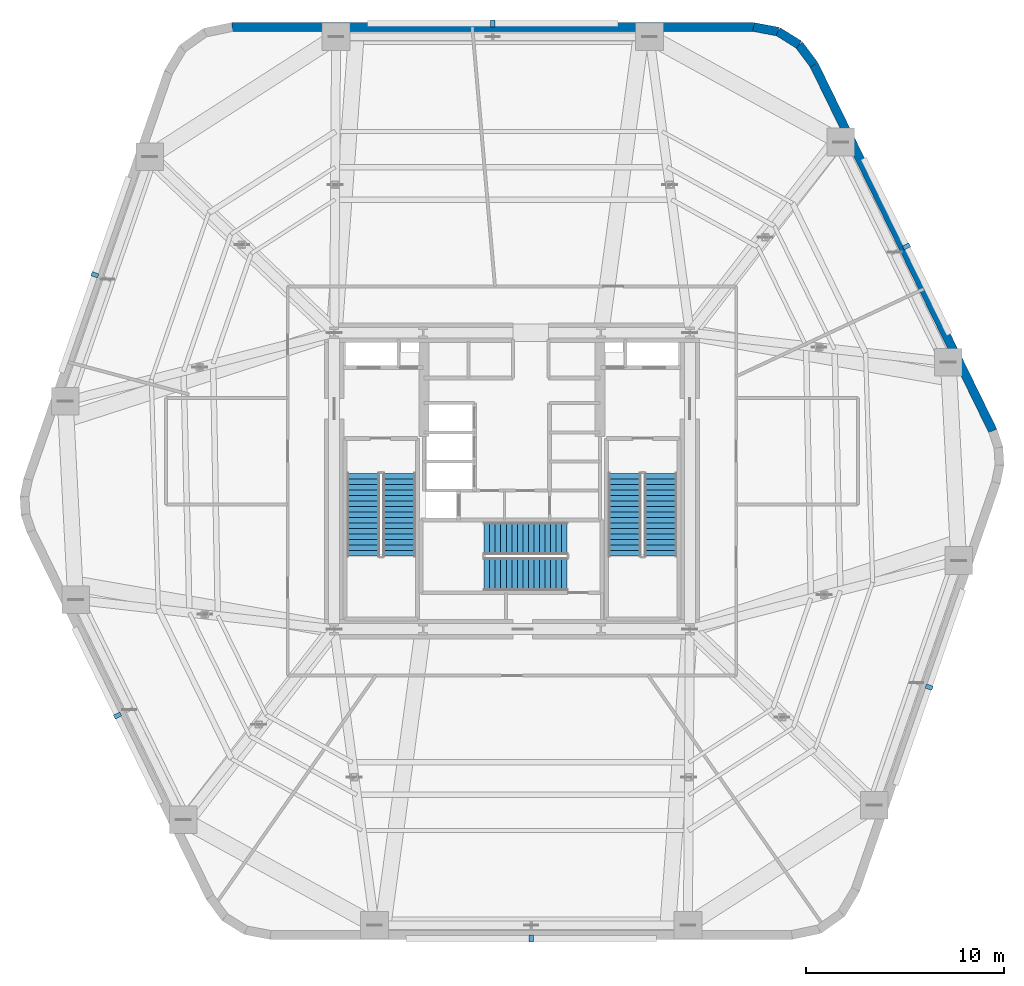
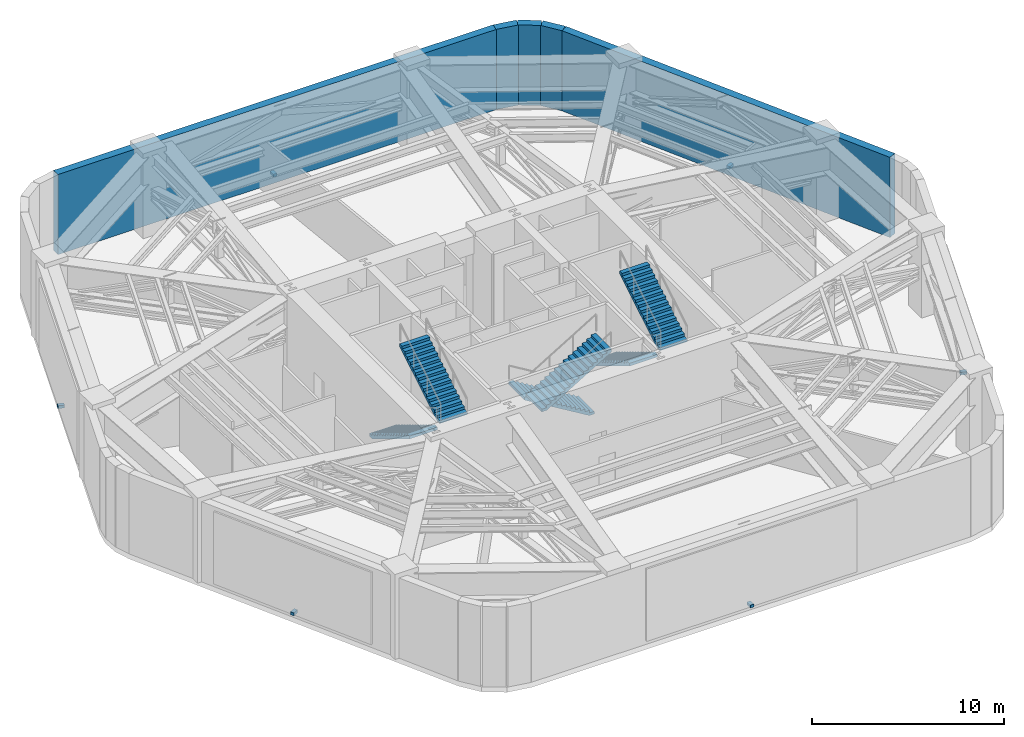
# One storey, part 8 of 11: 6 discrete accessories, 6 stair flights, 5 walls, 3 elements without a shape of their own.
"""IFC4 building model written with IfcOpenShell, lengths in metres."""

from ifc_helpers import new_model, si_unit, direction, frame, frame_2d, origin, origin_2d, place, context, subcontext, project, spatial, polyline, rectangle, outline, extrude, material, layer, layer_set, type_object, element, aggregate, save


model = new_model("IFC4")

# Units and contexts
model_context = context("Model", 3, precision=1e-05, world=origin(), true_north=direction((0.0, 1.0)))
body_context = subcontext(model_context, "Body", "Model", "MODEL_VIEW")
ifc_project = project(units=[si_unit("LENGTHUNIT", "METRE"), si_unit("AREAUNIT", "SQUARE_METRE"), si_unit("VOLUMEUNIT", "CUBIC_METRE"), si_unit("PLANEANGLEUNIT", "RADIAN"), si_unit("MASSUNIT", "GRAM", prefix="KILO")], contexts=[model_context])

# Site, building, storey
site_placement = place(None, origin())
site = spatial("IfcSite", under=ifc_project, at=site_placement, CompositionType="ELEMENT")
building_placement = place(site_placement, origin())
building = spatial("IfcBuilding", under=site, at=building_placement, Name="Kilnhurst Terrace Hotel", CompositionType="ELEMENT")
storey_placement = place(building_placement, frame((0.0, 0.0, 86.0)))
storey = spatial("IfcBuildingStorey", under=building, at=storey_placement, Name="L20", CompositionType="ELEMENT", Elevation=86.0)

# Walls
ifc_material_1 = material(Name="Precast concrete C40/50", Category="concrete")
ifc_layer = layer(ifc_material_1, 0.449951171875, Name="Precast concrete C40/50")
ifc_layer_set = layer_set([ifc_layer], Name="Precast concrete C40/50")
wall_type = type_object("IfcWallType", Name="WL-BRK-450", PredefinedType="SOLIDWALL", material=ifc_layer_set)
wall_1_placement = place(storey_placement, frame((15.28369140625, 21.0625, 0.0), z_axis=(0.0, 0.0, 1.0), x_axis=(-0.597595366449, 0.801797841104, 0.0)))
element("IfcWall", 1, at=wall_1_placement, inside=storey, type_object=wall_type, Name="L20 Rounded Corner Brick Wall C4.1", PredefinedType="SOLIDWALL", context=body_context, shape_type="SweptSolid", body=[
    extrude(rectangle(XDim=1.2685546875, YDim=0.449951171875, at=frame_2d((0.63427734375, 0.0))), origin(), (0.0, 0.0, 1.0), 5.10009765625),
])
wall_2_placement = place(storey_placement, frame((14.525634765625, 22.07958984375, 0.0), z_axis=(0.0, 0.0, 1.0), x_axis=(-0.848185203596, 0.529699783275, 0.0)))
element("IfcWall", 2, at=wall_2_placement, inside=storey, type_object=wall_type, Name="L20 Rounded Corner Brick Wall C4.2", PredefinedType="SOLIDWALL", context=body_context, shape_type="SweptSolid", body=[
    extrude(rectangle(XDim=1.247314453125, YDim=0.449951171875, at=frame_2d((0.62353515625, 0.0))), origin(), (0.0, 0.0, 1.0), 5.10009765625),
])
wall_3_placement = place(storey_placement, frame((13.4677734375, 22.740234375, 0.0), z_axis=(0.0, 0.0, 1.0), x_axis=(-0.982717174228, 0.185113358451, 0.0)))
element("IfcWall", 3, at=wall_3_placement, inside=storey, type_object=wall_type, Name="L20 Rounded Corner Brick Wall C4.3", PredefinedType="SOLIDWALL", context=body_context, shape_type="SweptSolid", body=[
    extrude(rectangle(XDim=1.268798828125, YDim=0.449951171875, at=frame_2d((0.63427734375, 0.0))), origin(), (0.0, 0.0, 1.0), 5.10009765625),
])
wall_4_placement = place(storey_placement, frame((24.335693359375, 2.532470703125, 0.0), z_axis=(0.0, 0.0, 1.0), x_axis=(-0.438931326393, 0.898520612291, 0.0)))
element("IfcWall", 4, at=wall_4_placement, inside=storey, type_object=wall_type, Name="L20 Exterior Brick Facade Wall F3", PredefinedType="SOLIDWALL", context=body_context, shape_type="SweptSolid", body=[
    extrude(rectangle(XDim=20.622802734375, YDim=0.449951171875, at=frame_2d((10.3115234375, 0.0))), origin(), (0.0, 0.0, 1.0), 5.10009765625),
])
wall_5_placement = place(storey_placement, frame((12.220947265625, 22.97509765625, 0.0), z_axis=(0.0, 0.0, 1.0), x_axis=(-1.0, 0.0, 0.0)))
element("IfcWall", 5, at=wall_5_placement, inside=storey, type_object=wall_type, Name="L20 Exterior Brick Facade Wall F4", PredefinedType="SOLIDWALL", context=body_context, shape_type="SweptSolid", body=[
    extrude(rectangle(XDim=26.38916015625, YDim=0.449951171875, at=frame_2d((13.194580078125, 0.0))), origin(), (0.0, 0.0, 1.0), 5.10009765625),
])

# Stair, stair flights
ifc_material_2 = material(Name="Concrete C50/60", Category="concrete")
stair_type = type_object("IfcStairType", Name="STR-CORE-1660", PredefinedType="HALF_TURN_STAIR", material=ifc_material_2)
stair_1_placement = place(storey_placement, origin())
stair_1 = element("IfcStair", 6, at=stair_1_placement, inside=storey, type_object=stair_type, Name="L20 ST-1", PredefinedType="HALF_TURN_STAIR")
stair_flight_type = type_object("IfcStairFlightType", Name="FLT-RC-1660", PredefinedType="STRAIGHT", material=ifc_material_2)
stair_flight_1_placement = place(storey_placement, frame((-7.52001953125, 0.389892578125, 0.0), z_axis=(0.0, 0.0, 1.0), x_axis=(0.0, -1.0, 0.0)))
stair_flight_1 = element("IfcStairFlight", 7, at=stair_flight_1_placement, type_object=stair_flight_type, Name="ST-1 flight 1", NumberOfRisers=16, NumberOfTreads=15, PredefinedType="STRAIGHT", RiserHeight=0.16875, TreadLength=0.28, context=body_context, shape_type="SweptSolid", body=[
    extrude(outline(polyline([(0.0, 0.0), (0.0, 0.168701171875), (0.280029296875, 0.168701171875), (0.280029296875, 0.33740234375), (0.56005859375, 0.33740234375), (0.56005859375, 0.50634765625), (0.840087890625, 0.50634765625), (0.840087890625, 0.675048828125), (1.1201171875, 0.675048828125), (1.1201171875, 0.84375), (1.39990234375, 0.84375), (1.39990234375, 1.012451171875), (1.679931640625, 1.012451171875), (1.679931640625, 1.18115234375), (1.9599609375, 1.18115234375), (1.9599609375, 1.35009765625), (2.239990234375, 1.35009765625), (2.239990234375, 1.518798828125), (2.52001953125, 1.518798828125), (2.52001953125, 1.6875), (2.800048828125, 1.6875), (2.800048828125, 1.856201171875), (3.080078125, 1.856201171875), (3.080078125, 2.02490234375), (3.360107421875, 2.02490234375), (3.360107421875, 2.19384765625), (3.639892578125, 2.19384765625), (3.639892578125, 2.362548828125), (3.919921875, 2.362548828125), (3.919921875, 2.53125), (4.199951171875, 2.53125), (4.199951171875, 2.699951171875), (4.199951171875, 2.356201171875), (0.29052734375, 0.0), (0.0, 0.0)])), frame((0.0, 0.830078125, 0.0), z_axis=(0.0, -1.0, 0.0), x_axis=(1.0, 0.0, 0.0)), (0.0, 0.0, 1.0), 1.659912109375),
])
stair_flight_2_placement = place(storey_placement, frame((-5.7099609375, -3.81005859375, 2.699951171875), z_axis=(0.0, 0.0, 1.0), x_axis=(0.0, 1.0, 0.0)))
stair_flight_2 = element("IfcStairFlight", 8, at=stair_flight_2_placement, type_object=stair_flight_type, Name="ST-1 flight 2", NumberOfRisers=16, NumberOfTreads=15, PredefinedType="STRAIGHT", RiserHeight=0.16875, TreadLength=0.28, context=body_context, shape_type="SweptSolid", body=[
    extrude(outline(polyline([(0.0, 0.0), (0.0, 0.168701171875), (0.280029296875, 0.168701171875), (0.280029296875, 0.33740234375), (0.56005859375, 0.33740234375), (0.56005859375, 0.50634765625), (0.840087890625, 0.50634765625), (0.840087890625, 0.675048828125), (1.1201171875, 0.675048828125), (1.1201171875, 0.84375), (1.39990234375, 0.84375), (1.39990234375, 1.012451171875), (1.679931640625, 1.012451171875), (1.679931640625, 1.18115234375), (1.9599609375, 1.18115234375), (1.9599609375, 1.35009765625), (2.239990234375, 1.35009765625), (2.239990234375, 1.518798828125), (2.52001953125, 1.518798828125), (2.52001953125, 1.6875), (2.800048828125, 1.6875), (2.800048828125, 1.856201171875), (3.080078125, 1.856201171875), (3.080078125, 2.02490234375), (3.360107421875, 2.02490234375), (3.360107421875, 2.19384765625), (3.639892578125, 2.19384765625), (3.639892578125, 2.362548828125), (3.919921875, 2.362548828125), (3.919921875, 2.53125), (4.199951171875, 2.53125), (4.199951171875, 2.699951171875), (4.199951171875, 2.356201171875), (0.29052734375, 0.0), (0.0, 0.0)])), frame((0.0, 0.830078125, 0.0), z_axis=(0.0, -1.0, 0.0), x_axis=(1.0, 0.0, 0.0)), (0.0, 0.0, 1.0), 1.659912109375),
])
aggregate(stair_1, [stair_flight_1, stair_flight_2])

stair_2_placement = place(storey_placement, origin())
stair_2 = element("IfcStair", 9, at=stair_2_placement, inside=storey, type_object=stair_type, Name="L20 ST-2", PredefinedType="HALF_TURN_STAIR")
stair_flight_3_placement = place(storey_placement, frame((5.7099609375, 0.389892578125, 0.0), z_axis=(0.0, 0.0, 1.0), x_axis=(0.0, -1.0, 0.0)))
stair_flight_3 = element("IfcStairFlight", 10, at=stair_flight_3_placement, type_object=stair_flight_type, Name="ST-2 flight 1", NumberOfRisers=16, NumberOfTreads=15, PredefinedType="STRAIGHT", RiserHeight=0.16875, TreadLength=0.28, context=body_context, shape_type="SweptSolid", body=[
    extrude(outline(polyline([(0.0, 0.0), (0.0, 0.168701171875), (0.280029296875, 0.168701171875), (0.280029296875, 0.33740234375), (0.56005859375, 0.33740234375), (0.56005859375, 0.50634765625), (0.840087890625, 0.50634765625), (0.840087890625, 0.675048828125), (1.1201171875, 0.675048828125), (1.1201171875, 0.84375), (1.39990234375, 0.84375), (1.39990234375, 1.012451171875), (1.679931640625, 1.012451171875), (1.679931640625, 1.18115234375), (1.9599609375, 1.18115234375), (1.9599609375, 1.35009765625), (2.239990234375, 1.35009765625), (2.239990234375, 1.518798828125), (2.52001953125, 1.518798828125), (2.52001953125, 1.6875), (2.800048828125, 1.6875), (2.800048828125, 1.856201171875), (3.080078125, 1.856201171875), (3.080078125, 2.02490234375), (3.360107421875, 2.02490234375), (3.360107421875, 2.19384765625), (3.639892578125, 2.19384765625), (3.639892578125, 2.362548828125), (3.919921875, 2.362548828125), (3.919921875, 2.53125), (4.199951171875, 2.53125), (4.199951171875, 2.699951171875), (4.199951171875, 2.356201171875), (0.29052734375, 0.0), (0.0, 0.0)])), frame((0.0, 0.830078125, 0.0), z_axis=(0.0, -1.0, 0.0), x_axis=(1.0, 0.0, 0.0)), (0.0, 0.0, 1.0), 1.659912109375),
])
stair_flight_4_placement = place(storey_placement, frame((7.52001953125, -3.81005859375, 2.699951171875), z_axis=(0.0, 0.0, 1.0), x_axis=(0.0, 1.0, 0.0)))
stair_flight_4 = element("IfcStairFlight", 11, at=stair_flight_4_placement, type_object=stair_flight_type, Name="ST-2 flight 2", NumberOfRisers=16, NumberOfTreads=15, PredefinedType="STRAIGHT", RiserHeight=0.16875, TreadLength=0.28, context=body_context, shape_type="SweptSolid", body=[
    extrude(outline(polyline([(0.0, 0.0), (0.0, 0.168701171875), (0.280029296875, 0.168701171875), (0.280029296875, 0.33740234375), (0.56005859375, 0.33740234375), (0.56005859375, 0.50634765625), (0.840087890625, 0.50634765625), (0.840087890625, 0.675048828125), (1.1201171875, 0.675048828125), (1.1201171875, 0.84375), (1.39990234375, 0.84375), (1.39990234375, 1.012451171875), (1.679931640625, 1.012451171875), (1.679931640625, 1.18115234375), (1.9599609375, 1.18115234375), (1.9599609375, 1.35009765625), (2.239990234375, 1.35009765625), (2.239990234375, 1.518798828125), (2.52001953125, 1.518798828125), (2.52001953125, 1.6875), (2.800048828125, 1.6875), (2.800048828125, 1.856201171875), (3.080078125, 1.856201171875), (3.080078125, 2.02490234375), (3.360107421875, 2.02490234375), (3.360107421875, 2.19384765625), (3.639892578125, 2.19384765625), (3.639892578125, 2.362548828125), (3.919921875, 2.362548828125), (3.919921875, 2.53125), (4.199951171875, 2.53125), (4.199951171875, 2.699951171875), (4.199951171875, 2.356201171875), (0.29052734375, 0.0), (0.0, 0.0)])), frame((0.0, 0.830078125, 0.0), z_axis=(0.0, -1.0, 0.0), x_axis=(1.0, 0.0, 0.0)), (0.0, 0.0, 1.0), 1.659912109375),
])
aggregate(stair_2, [stair_flight_3, stair_flight_4])

stair_3_placement = place(storey_placement, origin())
stair_3 = element("IfcStair", 12, at=stair_3_placement, inside=storey, type_object=stair_type, Name="L20 ST-3", PredefinedType="HALF_TURN_STAIR")
stair_flight_5_placement = place(storey_placement, frame((2.7900390625, -2.909912109375, 0.0), z_axis=(0.0, 0.0, 1.0), x_axis=(-1.0, 0.0, 0.0)))
stair_flight_5 = element("IfcStairFlight", 13, at=stair_flight_5_placement, type_object=stair_flight_type, Name="ST-3 flight 1", NumberOfRisers=16, NumberOfTreads=15, PredefinedType="STRAIGHT", RiserHeight=0.16875, TreadLength=0.28, context=body_context, shape_type="SweptSolid", body=[
    extrude(outline(polyline([(0.0, 0.0), (0.0, 0.168701171875), (0.280029296875, 0.168701171875), (0.280029296875, 0.33740234375), (0.56005859375, 0.33740234375), (0.56005859375, 0.50634765625), (0.840087890625, 0.50634765625), (0.840087890625, 0.675048828125), (1.1201171875, 0.675048828125), (1.1201171875, 0.84375), (1.39990234375, 0.84375), (1.39990234375, 1.012451171875), (1.679931640625, 1.012451171875), (1.679931640625, 1.18115234375), (1.9599609375, 1.18115234375), (1.9599609375, 1.35009765625), (2.239990234375, 1.35009765625), (2.239990234375, 1.518798828125), (2.52001953125, 1.518798828125), (2.52001953125, 1.6875), (2.800048828125, 1.6875), (2.800048828125, 1.856201171875), (3.080078125, 1.856201171875), (3.080078125, 2.02490234375), (3.360107421875, 2.02490234375), (3.360107421875, 2.19384765625), (3.639892578125, 2.19384765625), (3.639892578125, 2.362548828125), (3.919921875, 2.362548828125), (3.919921875, 2.53125), (4.199951171875, 2.53125), (4.199951171875, 2.699951171875), (4.199951171875, 2.356201171875), (0.29052734375, 0.0), (0.0, 0.0)])), frame((0.0, 0.830078125, 0.0), z_axis=(0.0, -1.0, 0.0), x_axis=(1.0, 0.0, 0.0)), (0.0, 0.0, 1.0), 1.659912109375),
])
stair_flight_6_placement = place(storey_placement, frame((-1.409912109375, -4.719970703125, 2.699951171875), z_axis=(0.0, 0.0, 1.0), x_axis=(1.0, 0.0, 0.0)))
stair_flight_6 = element("IfcStairFlight", 14, at=stair_flight_6_placement, type_object=stair_flight_type, Name="ST-3 flight 2", NumberOfRisers=16, NumberOfTreads=15, PredefinedType="STRAIGHT", RiserHeight=0.16875, TreadLength=0.28, context=body_context, shape_type="SweptSolid", body=[
    extrude(outline(polyline([(0.0, 0.0), (0.0, 0.168701171875), (0.280029296875, 0.168701171875), (0.280029296875, 0.33740234375), (0.56005859375, 0.33740234375), (0.56005859375, 0.50634765625), (0.840087890625, 0.50634765625), (0.840087890625, 0.675048828125), (1.1201171875, 0.675048828125), (1.1201171875, 0.84375), (1.39990234375, 0.84375), (1.39990234375, 1.012451171875), (1.679931640625, 1.012451171875), (1.679931640625, 1.18115234375), (1.9599609375, 1.18115234375), (1.9599609375, 1.35009765625), (2.239990234375, 1.35009765625), (2.239990234375, 1.518798828125), (2.52001953125, 1.518798828125), (2.52001953125, 1.6875), (2.800048828125, 1.6875), (2.800048828125, 1.856201171875), (3.080078125, 1.856201171875), (3.080078125, 2.02490234375), (3.360107421875, 2.02490234375), (3.360107421875, 2.19384765625), (3.639892578125, 2.19384765625), (3.639892578125, 2.362548828125), (3.919921875, 2.362548828125), (3.919921875, 2.53125), (4.199951171875, 2.53125), (4.199951171875, 2.699951171875), (4.199951171875, 2.356201171875), (0.29052734375, 0.0), (0.0, 0.0)])), frame((0.0, 0.830078125, 0.0), z_axis=(0.0, -1.0, 0.0), x_axis=(1.0, 0.0, 0.0)), (0.0, 0.0, 1.0), 1.659912109375),
])
aggregate(stair_3, [stair_flight_5, stair_flight_6])

# Discrete accessories
ifc_material_3 = material(Name="Galvanized Steel ASTM A572 Grade 50", Category="steel")
discrete_accessory_type = type_object("IfcDiscreteAccessoryType", Name="ACC-BRK-STL", PredefinedType="BRACKET", material=ifc_material_3)
for number, where, z_axis, x_axis, name in (
    (15, (0.973388671875, -23.14990234375, 0.2099609375), (0.0, 0.0, 1.0), (1.0, 0.0, 0.0), "L20 Storm Louvre Support Bracket SHD-L20-LVR-F1"),
    (16, (21.108154296875, -10.4345703125, 0.2099609375), (0.0, 0.0, 1.0), (0.326063182175, 0.94534797891, 0.0), "L20 Storm Louvre Support Bracket SHD-L20-LVR-F2"),
    (17, (19.966796875, 11.87451171875, 0.2099609375), (0.0, 0.0, 1.0), (-0.438935789176, 0.898518432188, 0.0), "L20 Storm Louvre Support Bracket SHD-L20-LVR-F3"),
    (18, (-0.973388671875, 23.14990234375, 0.2099609375), (0.0, 0.0, 1.0), (-1.0, 0.0, 0.0), "L20 Storm Louvre Support Bracket SHD-L20-LVR-F4"),
    (19, (-21.108154296875, 10.4345703125, 0.2099609375), (0.0, 0.0, 1.0), (-0.326063182175, -0.94534797891, 0.0), "L20 Storm Louvre Support Bracket SHD-L20-LVR-F5"),
    (20, (-19.966796875, -11.87451171875, 0.2099609375), (0.0, 0.0, 1.0), (0.438935789176, -0.898518432188, 0.0), "L20 Storm Louvre Support Bracket SHD-L20-LVR-F6"),
):
    element("IfcDiscreteAccessory", number, at=place(storey_placement, frame(where, z_axis=z_axis, x_axis=x_axis)), inside=storey, type_object=discrete_accessory_type, Name=name, PredefinedType="BRACKET", context=body_context, shape_type="SweptSolid", body=[
        extrude(rectangle(XDim=0.219970703125, YDim=0.360107421875, at=origin_2d()), origin(), (0.0, 0.0, 1.0), 0.179931640625),
    ])

save(model, "model.ifc")
